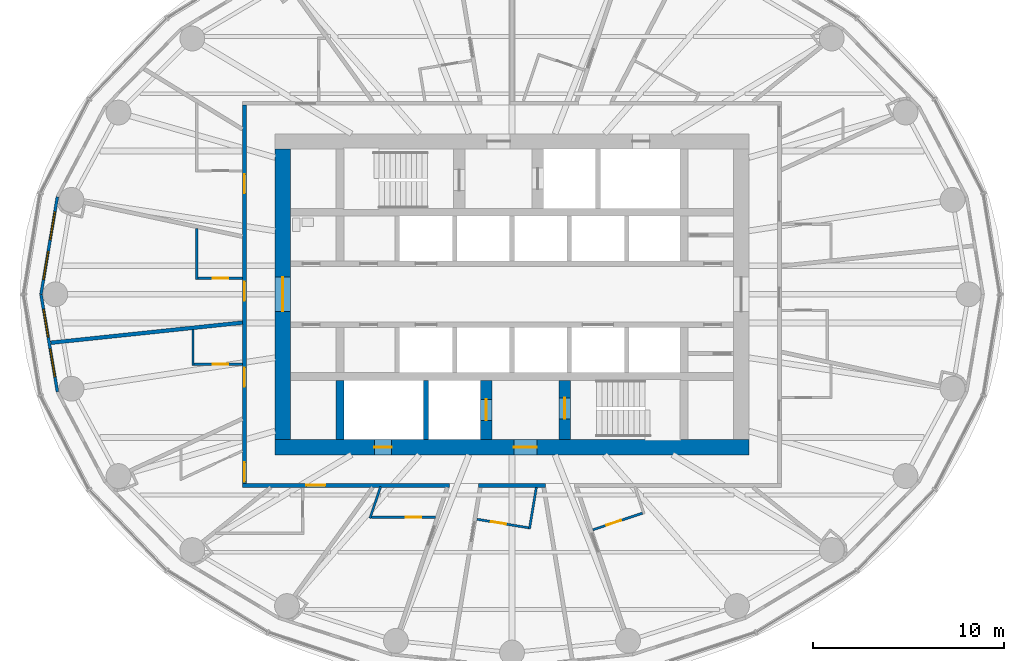
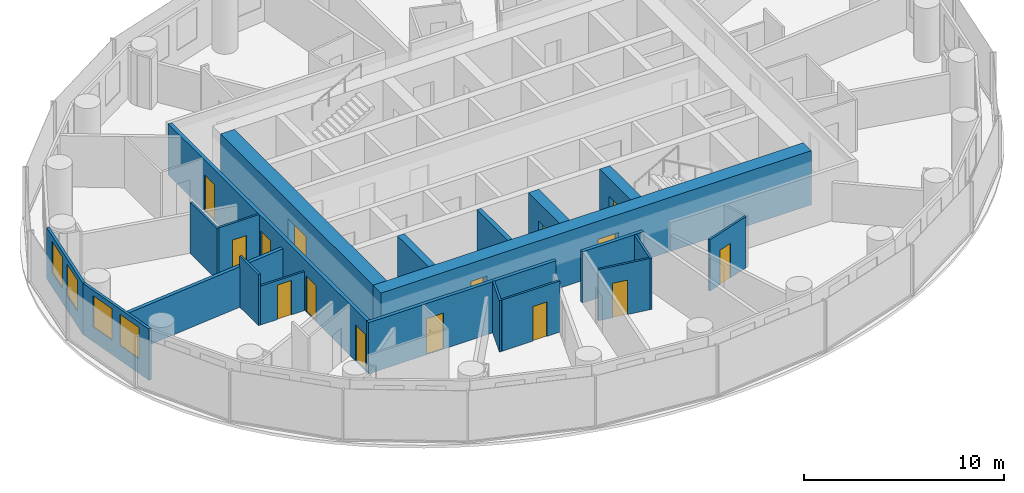
# One storey, part 7 of 14: 21 walls, 15 doors, 4 windows, 19 openings.
"""IFC4 building model written with IfcOpenShell, lengths in metres."""

from ifc_helpers import new_model, si_unit, direction, frame, frame_2d, origin, place, context, subcontext, project, spatial, rectangle, extrude, material, layer, layer_set, type_object, element, fill, save


model = new_model("IFC4")

# Units and contexts
model_context = context("Model", 3, precision=1e-05, world=origin(), true_north=direction((0.0, 1.0)))
body_context = subcontext(model_context, "Body", "Model", "MODEL_VIEW")
ifc_project = project(units=[si_unit("LENGTHUNIT", "METRE"), si_unit("AREAUNIT", "SQUARE_METRE"), si_unit("VOLUMEUNIT", "CUBIC_METRE"), si_unit("PLANEANGLEUNIT", "RADIAN"), si_unit("MASSUNIT", "GRAM", prefix="KILO")], contexts=[model_context])

# Site, building, storey
site_placement = place(None, origin())
site = spatial("IfcSite", under=ifc_project, at=site_placement, CompositionType="ELEMENT")
building_placement = place(site_placement, origin())
building = spatial("IfcBuilding", under=site, at=building_placement, Name="Hankou Lantern Tower", CompositionType="ELEMENT")
storey_placement = place(building_placement, frame((0.0, 0.0, 115.5)))
storey = spatial("IfcBuildingStorey", under=building, at=storey_placement, Name="L29", CompositionType="ELEMENT", Elevation=115.5)

# Wall, openings, doors
ifc_material_1 = material(Name="Concrete C60", Category="concrete")
ifc_layer_1 = layer(ifc_material_1, 0.800048828125)
ifc_layer_set_1 = layer_set([ifc_layer_1], Name="Concrete C60")
wall_type_1 = type_object("IfcWallType", Name="CW2 CORE WALL 800", PredefinedType="SHEAR", material=ifc_layer_set_1)
wall_1_placement = place(storey_placement, frame((12.39990234375, -8.0, 0.0), z_axis=(0.0, 0.0, 1.0), x_axis=(-1.0, 0.0, 0.0)))
wall_1 = element("IfcWall", 1, at=wall_1_placement, inside=storey, type_object=wall_type_1, Name="Core wall south L29", PredefinedType="SHEAR", context=body_context, shape_type="SweptSolid", body=[
    extrude(rectangle(XDim=24.7998046875, YDim=0.800048828125, at=frame_2d((12.39990234375, 0.0))), origin(), (0.0, 0.0, 1.0), 3.300048828125),
])
opening_1_placement = place(wall_1_placement, frame((11.10009765625, 0.0, 0.0)))
opening_1 = element("IfcOpeningElement", 2, at=opening_1_placement, cuts=wall_1, Name="Opening D5", PredefinedType="OPENING", context=body_context, shape_type="SweptSolid", body=[
    extrude(rectangle(XDim=1.199951171875, YDim=2.199951171875, at=frame_2d((0.60009765625, 1.10009765625))), frame((0.0, 0.409912109375, 0.0), z_axis=(0.0, -1.0, 0.0), x_axis=(1.0, 0.0, 0.0)), (0.0, 0.0, 1.0), 0.820068359375),
])
opening_2_placement = place(wall_1_placement, frame((18.699951171875, 0.0, 0.0)))
opening_2 = element("IfcOpeningElement", 3, at=opening_2_placement, cuts=wall_1, Name="Opening D7", PredefinedType="OPENING", context=body_context, shape_type="SweptSolid", body=[
    extrude(rectangle(XDim=0.89990234375, YDim=2.199951171875, at=frame_2d((0.449951171875, 1.10009765625))), frame((0.0, 0.409912109375, 0.0), z_axis=(0.0, -1.0, 0.0), x_axis=(1.0, 0.0, 0.0)), (0.0, 0.0, 1.0), 0.820068359375),
])
ifc_material_2 = material(Name="Steel door leaf", Category="steel")
door_type_1 = type_object("IfcDoorType", Name="D5 STAIR LOBBY DOOR 1200X2200", OperationType="SINGLE_SWING_LEFT", PredefinedType="DOOR", material=ifc_material_2)
door_1_placement = place(opening_1_placement, origin())
door_1 = element("IfcDoor", 4, at=door_1_placement, inside=storey, type_object=door_type_1, Name="Stair B lobby door", OperationType="SINGLE_SWING_LEFT", OverallHeight=2.199951171875, OverallWidth=1.199951171875, PredefinedType="DOOR", context=body_context, shape_type="SweptSolid", body=[
    extrude(rectangle(XDim=1.199951171875, YDim=2.199951171875, at=frame_2d((0.60009765625, 1.10009765625))), frame((0.0, 0.02490234375, 0.0), z_axis=(0.0, -1.0, 0.0), x_axis=(1.0, 0.0, 0.0)), (0.0, 0.0, 1.0), 0.050048828125),
])
fill(opening_1, door_1)
ifc_material_3 = material(Name="Steel door leaf", Category="steel")
door_type_2 = type_object("IfcDoorType", Name="D7 RISER DOOR 900X2200", OperationType="SINGLE_SWING_LEFT", PredefinedType="DOOR", material=ifc_material_3)
door_2_placement = place(opening_2_placement, origin())
door_2 = element("IfcDoor", 5, at=door_2_placement, inside=storey, type_object=door_type_2, Name="Riser S1 door", OperationType="SINGLE_SWING_RIGHT", OverallHeight=2.199951171875, OverallWidth=0.89990234375, PredefinedType="DOOR", context=body_context, shape_type="SweptSolid", body=[
    extrude(rectangle(XDim=0.89990234375, YDim=2.199951171875, at=frame_2d((0.449951171875, 1.10009765625))), frame((0.0, 0.02490234375, 0.0), z_axis=(0.0, -1.0, 0.0), x_axis=(1.0, 0.0, 0.0)), (0.0, 0.0, 1.0), 0.050048828125),
])
fill(opening_2, door_2)

# Wall, opening, door
wall_2_placement = place(storey_placement, frame((-12.0, 7.60009765625, 0.0), z_axis=(0.0, 0.0, 1.0), x_axis=(0.0, -1.0, 0.0)))
wall_2 = element("IfcWall", 6, at=wall_2_placement, inside=storey, type_object=wall_type_1, Name="Core wall west L29", PredefinedType="SHEAR", context=body_context, shape_type="SweptSolid", body=[
    extrude(rectangle(XDim=15.2001953125, YDim=0.800048828125, at=frame_2d((7.60009765625, 0.0))), origin(), (0.0, 0.0, 1.0), 3.300048828125),
])
opening_3_placement = place(wall_2_placement, frame((6.699951171875, 0.0, 0.0)))
opening_3 = element("IfcOpeningElement", 7, at=opening_3_placement, cuts=wall_2, Name="Opening D6", PredefinedType="OPENING", context=body_context, shape_type="SweptSolid", body=[
    extrude(rectangle(XDim=1.800048828125, YDim=2.199951171875, at=frame_2d((0.89990234375, 1.10009765625))), frame((0.0, 0.409912109375, 0.0), z_axis=(0.0, -1.0, 0.0), x_axis=(1.0, 0.0, 0.0)), (0.0, 0.0, 1.0), 0.820068359375),
])
ifc_material_4 = material(Name="Steel door leaf", Category="steel")
door_type_3 = type_object("IfcDoorType", Name="D6 LIFT LOBBY DOOR 1800X2200", OperationType="DOUBLE_DOOR_DOUBLE_SWING", PredefinedType="DOOR", material=ifc_material_4)
door_3_placement = place(opening_3_placement, origin())
door_3 = element("IfcDoor", 8, at=door_3_placement, inside=storey, type_object=door_type_3, Name="Lift lobby west door", OperationType="DOUBLE_DOOR_DOUBLE_SWING", OverallHeight=2.199951171875, OverallWidth=1.800048828125, PredefinedType="DOOR", context=body_context, shape_type="SweptSolid", body=[
    extrude(rectangle(XDim=1.800048828125, YDim=2.199951171875, at=frame_2d((0.89990234375, 1.10009765625))), frame((0.0, 0.02490234375, 0.0), z_axis=(0.0, -1.0, 0.0), x_axis=(1.0, 0.0, 0.0)), (0.0, 0.0, 1.0), 0.050048828125),
])
fill(opening_3, door_3)

# Wall
ifc_material_5 = material(Name="Concrete C60", Category="concrete")
ifc_layer_2 = layer(ifc_material_5, 0.39990234375)
ifc_layer_set_2 = layer_set([ifc_layer_2], Name="Concrete C60")
wall_type_2 = type_object("IfcWallType", Name="CW4 CORE CROSS WALL 400", PredefinedType="SHEAR", material=ifc_layer_set_2)
wall_3_placement = place(storey_placement, frame((-9.0, -7.60009765625, 0.0), z_axis=(0.0, 0.0, 1.0), x_axis=(0.0, 1.0, 0.0)))
element("IfcWall", 9, at=wall_3_placement, inside=storey, type_object=wall_type_2, Name="Core strip wall L29", PredefinedType="SHEAR", context=body_context, shape_type="SweptSolid", body=[
    extrude(rectangle(XDim=3.10009765625, YDim=0.39990234375, at=frame_2d((1.550048828125, 0.0))), origin(), (0.0, 0.0, 1.0), 3.300048828125),
])

# Wall, opening, door
ifc_material_6 = material(Name="Concrete C60", Category="concrete")
ifc_layer_3 = layer(ifc_material_6, 0.60009765625)
ifc_layer_set_3 = layer_set([ifc_layer_3], Name="Concrete C60")
wall_type_3 = type_object("IfcWallType", Name="CW6 STAIR AND SHAFT WALL 600", PredefinedType="SHEAR", material=ifc_layer_set_3)
wall_4_placement = place(storey_placement, frame((2.75, -7.60009765625, 0.0), z_axis=(0.0, 0.0, 1.0), x_axis=(0.0, 1.0, 0.0)))
wall_4 = element("IfcWall", 10, at=wall_4_placement, inside=storey, type_object=wall_type_3, Name="Stair wall L29", PredefinedType="SHEAR", context=body_context, shape_type="SweptSolid", body=[
    extrude(rectangle(XDim=3.10009765625, YDim=0.60009765625, at=frame_2d((1.550048828125, 0.0))), origin(), (0.0, 0.0, 1.0), 3.300048828125),
])
opening_4_placement = place(wall_4_placement, frame((1.074951171875, 0.0, 0.0)))
opening_4 = element("IfcOpeningElement", 11, at=opening_4_placement, cuts=wall_4, Name="Opening D4", PredefinedType="OPENING", context=body_context, shape_type="SweptSolid", body=[
    extrude(rectangle(XDim=1.10009765625, YDim=2.199951171875, at=frame_2d((0.550048828125, 1.10009765625))), frame((0.0, 0.31005859375, 0.0), z_axis=(0.0, -1.0, 0.0), x_axis=(1.0, 0.0, 0.0)), (0.0, 0.0, 1.0), 0.6201171875),
])
ifc_material_7 = material(Name="Steel door leaf", Category="steel")
door_type_4 = type_object("IfcDoorType", Name="D4 STAIR DOOR 1100X2200", OperationType="SINGLE_SWING_LEFT", PredefinedType="DOOR", material=ifc_material_7)
door_4_placement = place(opening_4_placement, origin())
door_4 = element("IfcDoor", 12, at=door_4_placement, inside=storey, type_object=door_type_4, Name="Stair B door", OperationType="SINGLE_SWING_RIGHT", OverallHeight=2.199951171875, OverallWidth=1.10009765625, PredefinedType="DOOR", context=body_context, shape_type="SweptSolid", body=[
    extrude(rectangle(XDim=1.10009765625, YDim=2.199951171875, at=frame_2d((0.550048828125, 1.10009765625))), frame((0.0, 0.02490234375, 0.0), z_axis=(0.0, -1.0, 0.0), x_axis=(1.0, 0.0, 0.0)), (0.0, 0.0, 1.0), 0.050048828125),
])
fill(opening_4, door_4)

wall_5_placement = place(storey_placement, frame((-1.35009765625, -7.60009765625, 0.0), z_axis=(0.0, 0.0, 1.0), x_axis=(0.0, 1.0, 0.0)))
wall_5 = element("IfcWall", 13, at=wall_5_placement, inside=storey, type_object=wall_type_3, Name="Firefighting lift shaft wall L29", PredefinedType="SHEAR", context=body_context, shape_type="SweptSolid", body=[
    extrude(rectangle(XDim=3.10009765625, YDim=0.60009765625, at=frame_2d((1.550048828125, 0.0))), origin(), (0.0, 0.0, 1.0), 3.300048828125),
])
opening_5_placement = place(wall_5_placement, frame((1.0, 0.0, 0.0)))
opening_5 = element("IfcOpeningElement", 14, at=opening_5_placement, cuts=wall_5, Name="Opening LD2", PredefinedType="OPENING", context=body_context, shape_type="SweptSolid", body=[
    extrude(rectangle(XDim=1.10009765625, YDim=2.199951171875, at=frame_2d((0.550048828125, 1.10009765625))), frame((0.0, 0.31005859375, 0.0), z_axis=(0.0, -1.0, 0.0), x_axis=(1.0, 0.0, 0.0)), (0.0, 0.0, 1.0), 0.6201171875),
])
ifc_material_8 = material(Name="Steel door leaf", Category="steel")
door_type_5 = type_object("IfcDoorType", Name="LD2 FIREFIGHTING LIFT LANDING DOOR 1100X2200", OperationType="DOUBLE_DOOR_SLIDING", PredefinedType="DOOR", material=ifc_material_8)
door_5_placement = place(opening_5_placement, origin())
door_5 = element("IfcDoor", 15, at=door_5_placement, inside=storey, type_object=door_type_5, Name="Firefighting lift FL2 landing door", OperationType="DOUBLE_DOOR_SLIDING", OverallHeight=2.199951171875, OverallWidth=1.10009765625, PredefinedType="DOOR", context=body_context, shape_type="SweptSolid", body=[
    extrude(rectangle(XDim=1.10009765625, YDim=2.199951171875, at=frame_2d((0.550048828125, 1.10009765625))), frame((0.0, 0.02490234375, 0.0), z_axis=(0.0, -1.0, 0.0), x_axis=(1.0, 0.0, 0.0)), (0.0, 0.0, 1.0), 0.050048828125),
])
fill(opening_5, door_5)

# Wall, openings, windows
ifc_material_9 = material(Name="Aluminium spandrel panel on steel studs", Category="steel")
ifc_layer_4 = layer(ifc_material_9, 0.14990234375)
ifc_layer_set_4 = layer_set([ifc_layer_4], Name="Aluminium spandrel panel on steel studs")
wall_type_4 = type_object("IfcWallType", Name="EW1 INNER SKIN WALL 150", PredefinedType="ELEMENTEDWALL", material=ifc_layer_set_4)
wall_6_placement = place(storey_placement, frame((-23.7919921875, 5.10009765625, 0.0), z_axis=(0.0, 0.0, 1.0), x_axis=(-0.165883894218, -0.986145290329, 0.0)))
wall_6 = element("IfcWall", 16, at=wall_6_placement, inside=storey, type_object=wall_type_4, Name="Inner skin R12-R13 L29", PredefinedType="ELEMENTEDWALL", context=body_context, shape_type="SweptSolid", body=[
    extrude(rectangle(XDim=5.171630859375, YDim=0.14990234375, at=frame_2d((2.5859375, 0.0))), origin(), (0.0, 0.0, 1.0), 3.1201171875),
])
opening_6_placement = place(wall_6_placement, frame((0.785888671875, 0.0, 0.89990234375)))
opening_6 = element("IfcOpeningElement", 17, at=opening_6_placement, cuts=wall_6, Name="Opening W2", PredefinedType="OPENING", context=body_context, shape_type="SweptSolid", body=[
    extrude(rectangle(XDim=1.5, YDim=1.89990234375, at=frame_2d((0.75, 0.949951171875))), frame((0.0, 0.0849609375, 0.0), z_axis=(0.0, -1.0, 0.0), x_axis=(1.0, 0.0, 0.0)), (0.0, 0.0, 1.0), 0.169921875),
])
opening_7_placement = place(wall_6_placement, frame((2.8857421875, 0.0, 0.89990234375)))
opening_7 = element("IfcOpeningElement", 18, at=opening_7_placement, cuts=wall_6, Name="Opening W2", PredefinedType="OPENING", context=body_context, shape_type="SweptSolid", body=[
    extrude(rectangle(XDim=1.5, YDim=1.89990234375, at=frame_2d((0.75, 0.949951171875))), frame((0.0, 0.0849609375, 0.0), z_axis=(0.0, -1.0, 0.0), x_axis=(1.0, 0.0, 0.0)), (0.0, 0.0, 1.0), 0.169921875),
])
ifc_material_10 = material(Name="Aluminium framed double glazed window", Category="aluminium")
window_type = type_object("IfcWindowType", Name="W2 GUEST ROOM WINDOW 1500X1900", PartitioningType="DOUBLE_PANEL_VERTICAL", PredefinedType="WINDOW", material=ifc_material_10)
window_1_placement = place(opening_6_placement, origin())
window_1 = element("IfcWindow", 19, at=window_1_placement, inside=storey, type_object=window_type, Name="Window R12.1 L29", OverallHeight=1.89990234375, OverallWidth=1.5, PartitioningType="SINGLE_PANEL", PredefinedType="WINDOW", context=body_context, shape_type="SweptSolid", body=[
    extrude(rectangle(XDim=1.5, YDim=1.89990234375, at=frame_2d((0.75, 0.949951171875))), frame((0.0, 0.030029296875, 0.0), z_axis=(0.0, -1.0, 0.0), x_axis=(1.0, 0.0, 0.0)), (0.0, 0.0, 1.0), 0.06005859375),
])
fill(opening_6, window_1)
window_2_placement = place(opening_7_placement, origin())
window_2 = element("IfcWindow", 20, at=window_2_placement, inside=storey, type_object=window_type, Name="Window R12.2 L29", OverallHeight=1.89990234375, OverallWidth=1.5, PartitioningType="SINGLE_PANEL", PredefinedType="WINDOW", context=body_context, shape_type="SweptSolid", body=[
    extrude(rectangle(XDim=1.5, YDim=1.89990234375, at=frame_2d((0.75, 0.949951171875))), frame((0.0, 0.030029296875, 0.0), z_axis=(0.0, -1.0, 0.0), x_axis=(1.0, 0.0, 0.0)), (0.0, 0.0, 1.0), 0.06005859375),
])
fill(opening_7, window_2)

wall_7_placement = place(storey_placement, frame((-24.64990234375, 0.0, 0.0), z_axis=(0.0, 0.0, 1.0), x_axis=(0.165883894218, -0.986145290329, 0.0)))
wall_7 = element("IfcWall", 21, at=wall_7_placement, inside=storey, type_object=wall_type_4, Name="Inner skin R13-R14 L29", PredefinedType="ELEMENTEDWALL", context=body_context, shape_type="SweptSolid", body=[
    extrude(rectangle(XDim=5.171630859375, YDim=0.14990234375, at=frame_2d((2.5859375, 0.0))), origin(), (0.0, 0.0, 1.0), 3.1201171875),
])
opening_8_placement = place(wall_7_placement, frame((0.785888671875, 0.0, 0.89990234375)))
opening_8 = element("IfcOpeningElement", 22, at=opening_8_placement, cuts=wall_7, Name="Opening W2", PredefinedType="OPENING", context=body_context, shape_type="SweptSolid", body=[
    extrude(rectangle(XDim=1.5, YDim=1.89990234375, at=frame_2d((0.75, 0.949951171875))), frame((0.0, 0.0849609375, 0.0), z_axis=(0.0, -1.0, 0.0), x_axis=(1.0, 0.0, 0.0)), (0.0, 0.0, 1.0), 0.169921875),
])
opening_9_placement = place(wall_7_placement, frame((2.8857421875, 0.0, 0.89990234375)))
opening_9 = element("IfcOpeningElement", 23, at=opening_9_placement, cuts=wall_7, Name="Opening W2", PredefinedType="OPENING", context=body_context, shape_type="SweptSolid", body=[
    extrude(rectangle(XDim=1.5, YDim=1.89990234375, at=frame_2d((0.75, 0.949951171875))), frame((0.0, 0.0849609375, 0.0), z_axis=(0.0, -1.0, 0.0), x_axis=(1.0, 0.0, 0.0)), (0.0, 0.0, 1.0), 0.169921875),
])
window_3_placement = place(opening_8_placement, origin())
window_3 = element("IfcWindow", 24, at=window_3_placement, inside=storey, type_object=window_type, Name="Window R13.1 L29", OverallHeight=1.89990234375, OverallWidth=1.5, PartitioningType="SINGLE_PANEL", PredefinedType="WINDOW", context=body_context, shape_type="SweptSolid", body=[
    extrude(rectangle(XDim=1.5, YDim=1.89990234375, at=frame_2d((0.75, 0.949951171875))), frame((0.0, 0.030029296875, 0.0), z_axis=(0.0, -1.0, 0.0), x_axis=(1.0, 0.0, 0.0)), (0.0, 0.0, 1.0), 0.06005859375),
])
fill(opening_8, window_3)
window_4_placement = place(opening_9_placement, origin())
window_4 = element("IfcWindow", 25, at=window_4_placement, inside=storey, type_object=window_type, Name="Window R13.2 L29", OverallHeight=1.89990234375, OverallWidth=1.5, PartitioningType="SINGLE_PANEL", PredefinedType="WINDOW", context=body_context, shape_type="SweptSolid", body=[
    extrude(rectangle(XDim=1.5, YDim=1.89990234375, at=frame_2d((0.75, 0.949951171875))), frame((0.0, 0.030029296875, 0.0), z_axis=(0.0, -1.0, 0.0), x_axis=(1.0, 0.0, 0.0)), (0.0, 0.0, 1.0), 0.06005859375),
])
fill(opening_9, window_4)

# Wall
ifc_material_11 = material(Name="Masonry lightweight concrete block", Category="masonry")
ifc_layer_5 = layer(ifc_material_11, 0.199951171875)
ifc_layer_set_5 = layer_set([ifc_layer_5], Name="Masonry lightweight concrete block")
wall_type_5 = type_object("IfcWallType", Name="IW1 GUEST ROOM PARTY WALL 200", PredefinedType="PARTITIONING", material=ifc_layer_set_5)
wall_8_placement = place(storey_placement, frame((-14.10009765625, -1.481689453125, 0.0), z_axis=(0.0, 0.0, 1.0), x_axis=(-0.994523202615, -0.104516024894, 0.0)))
element("IfcWall", 26, at=wall_8_placement, inside=storey, type_object=wall_type_5, Name="Party wall R13-R14", PredefinedType="PARTITIONING", context=body_context, shape_type="SweptSolid", body=[
    extrude(rectangle(XDim=10.091064453125, YDim=0.199951171875, at=frame_2d((5.04541015625, 0.0))), origin(), (0.0, 0.0, 1.0), 2.469970703125),
])

# Wall, openings, doors
ifc_material_12 = material(Name="Masonry lightweight concrete block", Category="masonry")
ifc_layer_6 = layer(ifc_material_12, 0.199951171875)
ifc_layer_set_6 = layer_set([ifc_layer_6], Name="Masonry lightweight concrete block")
wall_type_6 = type_object("IfcWallType", Name="IW2 CORRIDOR WALL 200", PredefinedType="PARTITIONING", material=ifc_layer_set_6)
wall_9_placement = place(storey_placement, frame((-14.0, 9.89990234375, 0.0), z_axis=(0.0, 0.0, 1.0), x_axis=(0.0, -1.0, 0.0)))
wall_9 = element("IfcWall", 27, at=wall_9_placement, inside=storey, type_object=wall_type_6, Name="Corridor wall west", PredefinedType="PARTITIONING", context=body_context, shape_type="SweptSolid", body=[
    extrude(rectangle(XDim=19.7998046875, YDim=0.199951171875, at=frame_2d((9.89990234375, 0.0))), origin(), (0.0, 0.0, 1.0), 3.1201171875),
])
opening_10_placement = place(wall_9_placement, frame((3.622314453125, 0.0, 0.0)))
opening_10 = element("IfcOpeningElement", 28, at=opening_10_placement, cuts=wall_9, Name="Opening D1", PredefinedType="OPENING", context=body_context, shape_type="SweptSolid", body=[
    extrude(rectangle(XDim=1.0, YDim=2.199951171875, at=frame_2d((0.5, 1.10009765625))), frame((0.0, 0.10986328125, 0.0), z_axis=(0.0, -1.0, 0.0), x_axis=(1.0, 0.0, 0.0)), (0.0, 0.0, 1.0), 0.219970703125),
])
opening_11_placement = place(wall_9_placement, frame((9.237548828125, 0.0, 0.0)))
opening_11 = element("IfcOpeningElement", 29, at=opening_11_placement, cuts=wall_9, Name="Opening D1", PredefinedType="OPENING", context=body_context, shape_type="SweptSolid", body=[
    extrude(rectangle(XDim=1.0, YDim=2.199951171875, at=frame_2d((0.5, 1.10009765625))), frame((0.0, 0.10986328125, 0.0), z_axis=(0.0, -1.0, 0.0), x_axis=(1.0, 0.0, 0.0)), (0.0, 0.0, 1.0), 0.219970703125),
])
opening_12_placement = place(wall_9_placement, frame((13.74169921875, 0.0, 0.0)))
opening_12 = element("IfcOpeningElement", 30, at=opening_12_placement, cuts=wall_9, Name="Opening D1", PredefinedType="OPENING", context=body_context, shape_type="SweptSolid", body=[
    extrude(rectangle(XDim=1.0, YDim=2.199951171875, at=frame_2d((0.5, 1.10009765625))), frame((0.0, 0.10986328125, 0.0), z_axis=(0.0, -1.0, 0.0), x_axis=(1.0, 0.0, 0.0)), (0.0, 0.0, 1.0), 0.219970703125),
])
opening_13_placement = place(wall_9_placement, frame((18.697509765625, 0.0, 0.0)))
opening_13 = element("IfcOpeningElement", 31, at=opening_13_placement, cuts=wall_9, Name="Opening D1", PredefinedType="OPENING", context=body_context, shape_type="SweptSolid", body=[
    extrude(rectangle(XDim=1.0, YDim=2.199951171875, at=frame_2d((0.5, 1.10009765625))), frame((0.0, 0.10986328125, 0.0), z_axis=(0.0, -1.0, 0.0), x_axis=(1.0, 0.0, 0.0)), (0.0, 0.0, 1.0), 0.219970703125),
])
ifc_material_13 = material(Name="Steel door leaf", Category="steel")
door_type_6 = type_object("IfcDoorType", Name="D1 GUEST ROOM DOOR 1000X2200", OperationType="SINGLE_SWING_LEFT", PredefinedType="DOOR", material=ifc_material_13)
door_6_placement = place(opening_10_placement, origin())
door_6 = element("IfcDoor", 32, at=door_6_placement, inside=storey, type_object=door_type_6, Name="Guest room door 2906", OperationType="SINGLE_SWING_LEFT", OverallHeight=2.199951171875, OverallWidth=1.0, PredefinedType="DOOR", context=body_context, shape_type="SweptSolid", body=[
    extrude(rectangle(XDim=1.0, YDim=2.199951171875, at=frame_2d((0.5, 1.10009765625))), frame((0.0, 0.02490234375, 0.0), z_axis=(0.0, -1.0, 0.0), x_axis=(1.0, 0.0, 0.0)), (0.0, 0.0, 1.0), 0.050048828125),
])
fill(opening_10, door_6)
door_7_placement = place(opening_11_placement, origin())
door_7 = element("IfcDoor", 33, at=door_7_placement, inside=storey, type_object=door_type_6, Name="Guest room door 2907", OperationType="SINGLE_SWING_LEFT", OverallHeight=2.199951171875, OverallWidth=1.0, PredefinedType="DOOR", context=body_context, shape_type="SweptSolid", body=[
    extrude(rectangle(XDim=1.0, YDim=2.199951171875, at=frame_2d((0.5, 1.10009765625))), frame((0.0, 0.02490234375, 0.0), z_axis=(0.0, -1.0, 0.0), x_axis=(1.0, 0.0, 0.0)), (0.0, 0.0, 1.0), 0.050048828125),
])
fill(opening_11, door_7)
door_8_placement = place(opening_12_placement, origin())
door_8 = element("IfcDoor", 34, at=door_8_placement, inside=storey, type_object=door_type_6, Name="Guest room door 2908", OperationType="SINGLE_SWING_RIGHT", OverallHeight=2.199951171875, OverallWidth=1.0, PredefinedType="DOOR", context=body_context, shape_type="SweptSolid", body=[
    extrude(rectangle(XDim=1.0, YDim=2.199951171875, at=frame_2d((0.5, 1.10009765625))), frame((0.0, 0.02490234375, 0.0), z_axis=(0.0, -1.0, 0.0), x_axis=(1.0, 0.0, 0.0)), (0.0, 0.0, 1.0), 0.050048828125),
])
fill(opening_12, door_8)
door_9_placement = place(opening_13_placement, origin())
door_9 = element("IfcDoor", 35, at=door_9_placement, inside=storey, type_object=door_type_6, Name="Guest room door 2909", OperationType="SINGLE_SWING_RIGHT", OverallHeight=2.199951171875, OverallWidth=1.0, PredefinedType="DOOR", context=body_context, shape_type="SweptSolid", body=[
    extrude(rectangle(XDim=1.0, YDim=2.199951171875, at=frame_2d((0.5, 1.10009765625))), frame((0.0, 0.02490234375, 0.0), z_axis=(0.0, -1.0, 0.0), x_axis=(1.0, 0.0, 0.0)), (0.0, 0.0, 1.0), 0.050048828125),
])
fill(opening_13, door_9)

# Wall
wall_10_placement = place(storey_placement, frame((1.76513671875, -10.0, 0.0), z_axis=(0.0, 0.0, 1.0), x_axis=(-1.0, 0.0, 0.0)))
element("IfcWall", 36, at=wall_10_placement, inside=storey, type_object=wall_type_6, Name="Corridor wall south", PredefinedType="PARTITIONING", context=body_context, shape_type="SweptSolid", body=[
    extrude(rectangle(XDim=3.5302734375, YDim=0.199951171875, at=frame_2d((1.76513671875, 0.0))), origin(), (0.0, 0.0, 1.0), 3.1201171875),
])

# Wall, opening, door
wall_11_placement = place(storey_placement, frame((-3.282958984375, -10.0, 0.0), z_axis=(0.0, 0.0, 1.0), x_axis=(-1.0, 0.0, 0.0)))
wall_11 = element("IfcWall", 37, at=wall_11_placement, inside=storey, type_object=wall_type_6, Name="Corridor wall south", PredefinedType="PARTITIONING", context=body_context, shape_type="SweptSolid", body=[
    extrude(rectangle(XDim=10.817138671875, YDim=0.199951171875, at=frame_2d((5.40869140625, 0.0))), origin(), (0.0, 0.0, 1.0), 3.1201171875),
])
opening_14_placement = place(wall_11_placement, frame((6.482177734375, 0.0, 0.0)))
opening_14 = element("IfcOpeningElement", 38, at=opening_14_placement, cuts=wall_11, Name="Opening D1", PredefinedType="OPENING", context=body_context, shape_type="SweptSolid", body=[
    extrude(rectangle(XDim=1.0, YDim=2.199951171875, at=frame_2d((0.5, 1.10009765625))), frame((0.0, 0.10986328125, 0.0), z_axis=(0.0, -1.0, 0.0), x_axis=(1.0, 0.0, 0.0)), (0.0, 0.0, 1.0), 0.219970703125),
])
door_10_placement = place(opening_14_placement, origin())
door_10 = element("IfcDoor", 39, at=door_10_placement, inside=storey, type_object=door_type_6, Name="Guest room door 2910", OperationType="SINGLE_SWING_RIGHT", OverallHeight=2.199951171875, OverallWidth=1.0, PredefinedType="DOOR", context=body_context, shape_type="SweptSolid", body=[
    extrude(rectangle(XDim=1.0, YDim=2.199951171875, at=frame_2d((0.5, 1.10009765625))), frame((0.0, 0.02490234375, 0.0), z_axis=(0.0, -1.0, 0.0), x_axis=(1.0, 0.0, 0.0)), (0.0, 0.0, 1.0), 0.050048828125),
])
fill(opening_14, door_10)

# Wall
ifc_material_14 = material(Name="Masonry lightweight concrete block", Category="masonry")
ifc_layer_7 = layer(ifc_material_14, 0.1201171875)
ifc_layer_set_7 = layer_set([ifc_layer_7], Name="Masonry lightweight concrete block")
wall_type_7 = type_object("IfcWallType", Name="IW3 BATHROOM WALL 120", PredefinedType="PARTITIONING", material=ifc_layer_set_7)
wall_12_placement = place(storey_placement, frame((-16.5, 3.43701171875, 0.0), z_axis=(0.0, 0.0, 1.0), x_axis=(0.0, -1.0, 0.0)))
element("IfcWall", 40, at=wall_12_placement, inside=storey, type_object=wall_type_7, Name="Box wall 2907 1", PredefinedType="PARTITIONING", context=body_context, shape_type="SweptSolid", body=[
    extrude(rectangle(XDim=2.654541015625, YDim=0.1201171875, at=frame_2d((1.3271484375, 0.0))), origin(), (0.0, 0.0, 1.0), 3.1201171875),
])

# Wall, opening, door
wall_13_placement = place(storey_placement, frame((-14.10009765625, 0.842529296875, 0.0), z_axis=(0.0, 0.0, 1.0), x_axis=(-1.0, 0.0, 0.0)))
wall_13 = element("IfcWall", 41, at=wall_13_placement, inside=storey, type_object=wall_type_7, Name="Box wall 2907 1", PredefinedType="PARTITIONING", context=body_context, shape_type="SweptSolid", body=[
    extrude(rectangle(XDim=2.33984375, YDim=0.1201171875, at=frame_2d((1.169921875, 0.0))), origin(), (0.0, 0.0, 1.0), 3.1201171875),
])
opening_15_placement = place(wall_13_placement, frame((0.75, 0.0, 0.0)))
opening_15 = element("IfcOpeningElement", 42, at=opening_15_placement, cuts=wall_13, Name="Opening D3", PredefinedType="OPENING", context=body_context, shape_type="SweptSolid", body=[
    extrude(rectangle(XDim=0.800048828125, YDim=2.10009765625, at=frame_2d((0.39990234375, 1.050048828125))), frame((0.0, 0.070068359375, 0.0), z_axis=(0.0, -1.0, 0.0), x_axis=(1.0, 0.0, 0.0)), (0.0, 0.0, 1.0), 0.14013671875),
])
ifc_material_15 = material(Name="Timber door leaf", Category="wood")
door_type_7 = type_object("IfcDoorType", Name="D3 BATHROOM DOOR 800X2100", OperationType="SINGLE_SWING_LEFT", PredefinedType="DOOR", material=ifc_material_15)
door_11_placement = place(opening_15_placement, origin())
door_11 = element("IfcDoor", 43, at=door_11_placement, inside=storey, type_object=door_type_7, Name="En-suite bathroom 2907 door", OperationType="SINGLE_SWING_LEFT", OverallHeight=2.10009765625, OverallWidth=0.800048828125, PredefinedType="DOOR", context=body_context, shape_type="SweptSolid", body=[
    extrude(rectangle(XDim=0.800048828125, YDim=2.10009765625, at=frame_2d((0.39990234375, 1.050048828125))), frame((0.0, 0.02490234375, 0.0), z_axis=(0.0, -1.0, 0.0), x_axis=(1.0, 0.0, 0.0)), (0.0, 0.0, 1.0), 0.050048828125),
])
fill(opening_15, door_11)

# Wall
wall_14_placement = place(storey_placement, frame((-16.699951171875, -1.85498046875, 0.0), z_axis=(0.0, 0.0, 1.0), x_axis=(0.0, -1.0, 0.0)))
element("IfcWall", 44, at=wall_14_placement, inside=storey, type_object=wall_type_7, Name="Box wall 2908 1", PredefinedType="PARTITIONING", context=body_context, shape_type="SweptSolid", body=[
    extrude(rectangle(XDim=1.86669921875, YDim=0.1201171875, at=frame_2d((0.933349609375, 0.0))), origin(), (0.0, 0.0, 1.0), 3.1201171875),
])

# Wall, opening, door
wall_15_placement = place(storey_placement, frame((-14.10009765625, -3.661865234375, 0.0), z_axis=(0.0, 0.0, 1.0), x_axis=(-1.0, 0.0, 0.0)))
wall_15 = element("IfcWall", 45, at=wall_15_placement, inside=storey, type_object=wall_type_7, Name="Box wall 2908 1", PredefinedType="PARTITIONING", context=body_context, shape_type="SweptSolid", body=[
    extrude(rectangle(XDim=2.539794921875, YDim=0.1201171875, at=frame_2d((1.27001953125, 0.0))), origin(), (0.0, 0.0, 1.0), 2.3701171875),
])
opening_16_placement = place(wall_15_placement, frame((0.75, 0.0, 0.0)))
opening_16 = element("IfcOpeningElement", 46, at=opening_16_placement, cuts=wall_15, Name="Opening D3", PredefinedType="OPENING", context=body_context, shape_type="SweptSolid", body=[
    extrude(rectangle(XDim=0.800048828125, YDim=2.10009765625, at=frame_2d((0.39990234375, 1.050048828125))), frame((0.0, 0.070068359375, 0.0), z_axis=(0.0, -1.0, 0.0), x_axis=(1.0, 0.0, 0.0)), (0.0, 0.0, 1.0), 0.14013671875),
])
door_12_placement = place(opening_16_placement, origin())
door_12 = element("IfcDoor", 47, at=door_12_placement, inside=storey, type_object=door_type_7, Name="En-suite bathroom 2908 door", OperationType="SINGLE_SWING_LEFT", OverallHeight=2.10009765625, OverallWidth=0.800048828125, PredefinedType="DOOR", context=body_context, shape_type="SweptSolid", body=[
    extrude(rectangle(XDim=0.800048828125, YDim=2.10009765625, at=frame_2d((0.39990234375, 1.050048828125))), frame((0.0, 0.02490234375, 0.0), z_axis=(0.0, -1.0, 0.0), x_axis=(1.0, 0.0, 0.0)), (0.0, 0.0, 1.0), 0.050048828125),
])
fill(opening_16, door_12)

# Wall
wall_16_placement = place(storey_placement, frame((-6.877685546875, -10.068359375, 0.0), z_axis=(0.0, 0.0, 1.0), x_axis=(-0.317532394508, -0.948247424694, 0.0)))
element("IfcWall", 48, at=wall_16_placement, inside=storey, type_object=wall_type_7, Name="Box wall 2911 1", PredefinedType="PARTITIONING", context=body_context, shape_type="SweptSolid", body=[
    extrude(rectangle(XDim=1.739990234375, YDim=0.1201171875, at=frame_2d((0.8701171875, 0.0))), origin(), (0.0, 0.0, 1.0), 3.1201171875),
])

# Wall, opening, door
wall_17_placement = place(storey_placement, frame((-4.01123046875, -11.661376953125, 0.0), z_axis=(0.0, 0.0, 1.0), x_axis=(-1.0, 0.0, 0.0)))
wall_17 = element("IfcWall", 49, at=wall_17_placement, inside=storey, type_object=wall_type_7, Name="Box wall 2911 1", PredefinedType="PARTITIONING", context=body_context, shape_type="SweptSolid", body=[
    extrude(rectangle(XDim=3.340087890625, YDim=0.1201171875, at=frame_2d((1.669921875, 0.0))), origin(), (0.0, 0.0, 1.0), 3.1201171875),
])
opening_17_placement = place(wall_17_placement, frame((0.75, 0.0, 0.0)))
opening_17 = element("IfcOpeningElement", 50, at=opening_17_placement, cuts=wall_17, Name="Opening D3", PredefinedType="OPENING", context=body_context, shape_type="SweptSolid", body=[
    extrude(rectangle(XDim=0.800048828125, YDim=2.10009765625, at=frame_2d((0.39990234375, 1.050048828125))), frame((0.0, 0.070068359375, 0.0), z_axis=(0.0, -1.0, 0.0), x_axis=(1.0, 0.0, 0.0)), (0.0, 0.0, 1.0), 0.14013671875),
])
door_13_placement = place(opening_17_placement, origin())
door_13 = element("IfcDoor", 51, at=door_13_placement, inside=storey, type_object=door_type_7, Name="En-suite bathroom 2911 door", OperationType="SINGLE_SWING_LEFT", OverallHeight=2.10009765625, OverallWidth=0.800048828125, PredefinedType="DOOR", context=body_context, shape_type="SweptSolid", body=[
    extrude(rectangle(XDim=0.800048828125, YDim=2.10009765625, at=frame_2d((0.39990234375, 1.050048828125))), frame((0.0, 0.02490234375, 0.0), z_axis=(0.0, -1.0, 0.0), x_axis=(1.0, 0.0, 0.0)), (0.0, 0.0, 1.0), 0.050048828125),
])
fill(opening_17, door_13)

# Wall
wall_18_placement = place(storey_placement, frame((1.271240234375, -10.1162109375, 0.0), z_axis=(0.0, 0.0, 1.0), x_axis=(-0.162672481395, -0.986680122328, 0.0)))
element("IfcWall", 52, at=wall_18_placement, inside=storey, type_object=wall_type_7, Name="Box wall 2913 1", PredefinedType="PARTITIONING", context=body_context, shape_type="SweptSolid", body=[
    extrude(rectangle(XDim=2.20166015625, YDim=0.1201171875, at=frame_2d((1.100830078125, 0.0))), origin(), (0.0, 0.0, 1.0), 3.1201171875),
])

# Wall, opening, door
wall_19_placement = place(storey_placement, frame((-1.83984375, -11.77392578125, 0.0), z_axis=(0.0, 0.0, 1.0), x_axis=(0.986676602341, -0.162693830222, 0.0)))
wall_19 = element("IfcWall", 53, at=wall_19_placement, inside=storey, type_object=wall_type_7, Name="Box wall 2913 1", PredefinedType="PARTITIONING", context=body_context, shape_type="SweptSolid", body=[
    extrude(rectangle(XDim=2.740234375, YDim=0.1201171875, at=frame_2d((1.3701171875, 0.0))), origin(), (0.0, 0.0, 1.0), 3.1201171875),
])
opening_18_placement = place(wall_19_placement, frame((0.75, 0.0, 0.0)))
opening_18 = element("IfcOpeningElement", 54, at=opening_18_placement, cuts=wall_19, Name="Opening D3", PredefinedType="OPENING", context=body_context, shape_type="SweptSolid", body=[
    extrude(rectangle(XDim=0.800048828125, YDim=2.10009765625, at=frame_2d((0.39990234375, 1.050048828125))), frame((0.0, 0.070068359375, 0.0), z_axis=(0.0, -1.0, 0.0), x_axis=(1.0, 0.0, 0.0)), (0.0, 0.0, 1.0), 0.14013671875),
])
door_14_placement = place(opening_18_placement, origin())
door_14 = element("IfcDoor", 55, at=door_14_placement, inside=storey, type_object=door_type_7, Name="En-suite bathroom 2913 door", OperationType="SINGLE_SWING_LEFT", OverallHeight=2.10009765625, OverallWidth=0.800048828125, PredefinedType="DOOR", context=body_context, shape_type="SweptSolid", body=[
    extrude(rectangle(XDim=0.800048828125, YDim=2.10009765625, at=frame_2d((0.39990234375, 1.050048828125))), frame((0.0, 0.02490234375, 0.0), z_axis=(0.0, -1.0, 0.0), x_axis=(1.0, 0.0, 0.0)), (0.0, 0.0, 1.0), 0.050048828125),
])
fill(opening_18, door_14)

wall_20_placement = place(storey_placement, frame((4.233642578125, -12.324951171875, 0.0), z_axis=(0.0, 0.0, 1.0), x_axis=(0.948236840279, 0.317564001011, 0.0)))
wall_20 = element("IfcWall", 56, at=wall_20_placement, inside=storey, type_object=wall_type_7, Name="Box wall 2915 1", PredefinedType="PARTITIONING", context=body_context, shape_type="SweptSolid", body=[
    extrude(rectangle(XDim=2.739990234375, YDim=0.1201171875, at=frame_2d((1.3701171875, 0.0))), origin(), (0.0, 0.0, 1.0), 3.1201171875),
])
opening_19_placement = place(wall_20_placement, frame((0.75, 0.0, 0.0)))
opening_19 = element("IfcOpeningElement", 57, at=opening_19_placement, cuts=wall_20, Name="Opening D3", PredefinedType="OPENING", context=body_context, shape_type="SweptSolid", body=[
    extrude(rectangle(XDim=0.800048828125, YDim=2.10009765625, at=frame_2d((0.39990234375, 1.050048828125))), frame((0.0, 0.070068359375, 0.0), z_axis=(0.0, -1.0, 0.0), x_axis=(1.0, 0.0, 0.0)), (0.0, 0.0, 1.0), 0.14013671875),
])
door_15_placement = place(opening_19_placement, origin())
door_15 = element("IfcDoor", 58, at=door_15_placement, inside=storey, type_object=door_type_7, Name="Junior suite 2915 bathroom door", OperationType="SINGLE_SWING_LEFT", OverallHeight=2.10009765625, OverallWidth=0.800048828125, PredefinedType="DOOR", context=body_context, shape_type="SweptSolid", body=[
    extrude(rectangle(XDim=0.800048828125, YDim=2.10009765625, at=frame_2d((0.39990234375, 1.050048828125))), frame((0.0, 0.02490234375, 0.0), z_axis=(0.0, -1.0, 0.0), x_axis=(1.0, 0.0, 0.0)), (0.0, 0.0, 1.0), 0.050048828125),
])
fill(opening_19, door_15)

# Wall
ifc_material_16 = material(Name="Masonry autoclaved aerated concrete block", Category="masonry")
ifc_layer_8 = layer(ifc_material_16, 0.25)
ifc_layer_set_8 = layer_set([ifc_layer_8], Name="Masonry autoclaved aerated concrete block")
wall_type_8 = type_object("IfcWallType", Name="SW1 SHAFT BLOCK WALL 250", PredefinedType="PARTITIONING", material=ifc_layer_set_8)
wall_21_placement = place(storey_placement, frame((-4.5, -7.60009765625, 0.0), z_axis=(0.0, 0.0, 1.0), x_axis=(0.0, 1.0, 0.0)))
element("IfcWall", 59, at=wall_21_placement, inside=storey, type_object=wall_type_8, Name="Riser wall L29", PredefinedType="PARTITIONING", context=body_context, shape_type="SweptSolid", body=[
    extrude(rectangle(XDim=3.10009765625, YDim=0.25, at=frame_2d((1.550048828125, 0.0))), origin(), (0.0, 0.0, 1.0), 3.300048828125),
])

save(model, "model.ifc")
